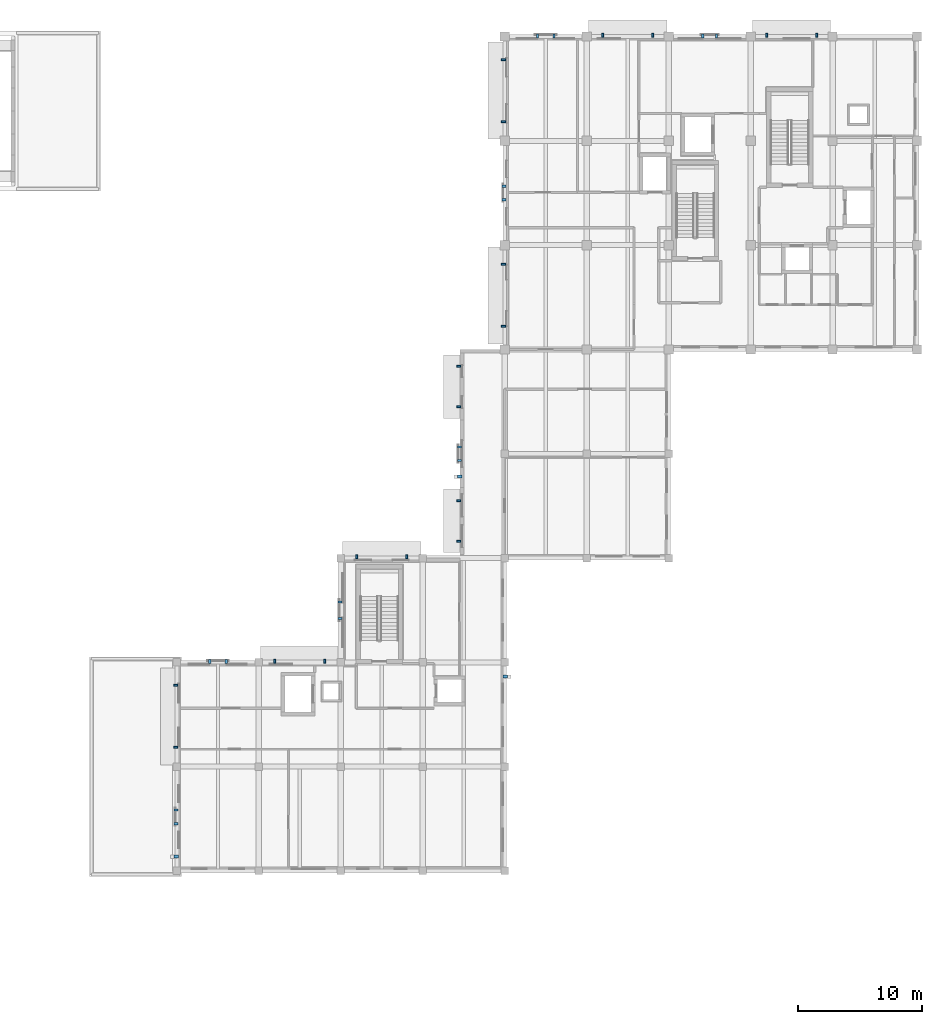
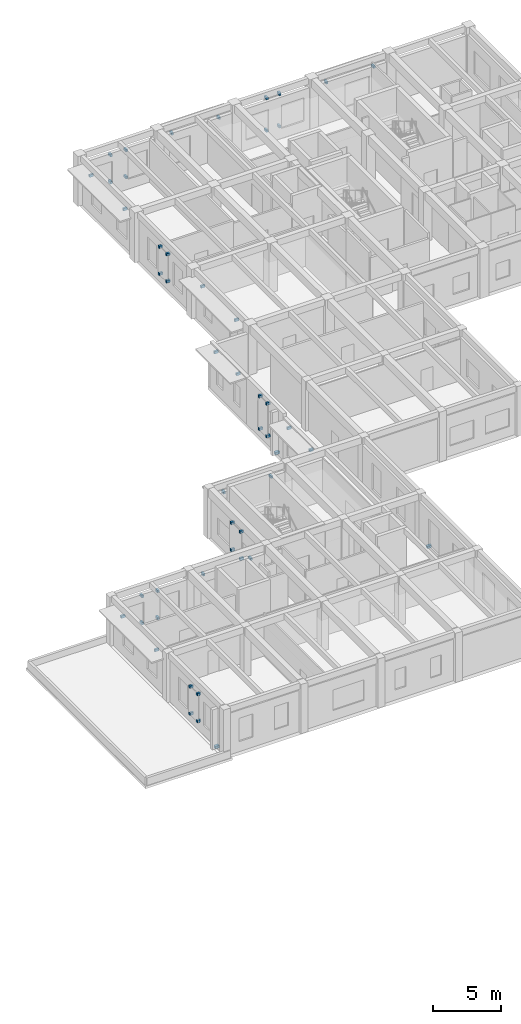
# One storey, part 17 of 25: 49 discrete accessories.
"""IFC4 building model written with IfcOpenShell, lengths in metres."""

from ifc_helpers import new_model, si_unit, direction, frame, origin, origin_2d, place, context, subcontext, project, spatial, rectangle, extrude, material, type_object, element, save


model = new_model("IFC4")

# Units and contexts
model_context = context("Model", 3, precision=1e-05, world=origin(), true_north=direction((0.0, 1.0)))
body_context = subcontext(model_context, "Body", "Model", "MODEL_VIEW")
ifc_project = project(units=[si_unit("LENGTHUNIT", "METRE"), si_unit("AREAUNIT", "SQUARE_METRE"), si_unit("VOLUMEUNIT", "CUBIC_METRE"), si_unit("PLANEANGLEUNIT", "RADIAN"), si_unit("MASSUNIT", "GRAM", prefix="KILO")], contexts=[model_context])

# Site, building, storey
site_placement = place(None, origin())
site = spatial("IfcSite", under=ifc_project, at=site_placement, CompositionType="ELEMENT")
building_placement = place(site_placement, origin())
building = spatial("IfcBuilding", under=site, at=building_placement, Name="Kolvaren Faculty of Natural Sciences", CompositionType="ELEMENT")
storey_placement = place(building_placement, frame((0.0, 0.0, 19.5)))
storey = spatial("IfcBuildingStorey", under=building, at=storey_placement, Name="L04", CompositionType="ELEMENT", Elevation=19.5)

# Discrete accessories
ifc_material = material(Name="Structural steel EN 10025-2 S355J2", Category="steel")
discrete_accessory_type = type_object("IfcDiscreteAccessoryType", Name="FacadeSupportBracket_260", PredefinedType="BRACKET", material=ifc_material)
for number, where, z_axis, x_axis, name in (
    (1, (125.5400390625, 37.3349609375, 0.81982421875), (0.0, 0.0, 1.0), (0.0, 1.0, 0.0), "L04 jali screen wall bracket"),
    (2, (125.5400390625, 38.6650390625, 0.81982421875), (0.0, 0.0, 1.0), (0.0, 1.0, 0.0), "L04 jali screen wall bracket"),
    (3, (125.5400390625, 37.3349609375, 3.26025390625), (0.0, 0.0, 1.0), (0.0, 1.0, 0.0), "L04 jali screen wall bracket"),
    (4, (125.5400390625, 38.6650390625, 3.26025390625), (0.0, 0.0, 1.0), (0.0, 1.0, 0.0), "L04 jali screen wall bracket"),
):
    element("IfcDiscreteAccessory", number, at=place(storey_placement, frame(where, z_axis=z_axis, x_axis=x_axis)), inside=storey, type_object=discrete_accessory_type, Name=name, PredefinedType="BRACKET", context=body_context, shape_type="SweptSolid", body=[
        extrude(rectangle(XDim=0.179931640625, YDim=0.320068359375, at=origin_2d()), origin(), (0.0, 0.0, 1.0), 0.219970703125),
    ])
for number, where, z_axis, x_axis, name in (
    (5, (126.884033203125, 42.300048828125, 3.365234375), (0.0, 0.0, 1.0), (1.0, 0.0, 0.0), "L04 chhajja hood steel bracket"),
    (6, (130.916015625, 42.300048828125, 3.365234375), (0.0, 0.0, 1.0), (1.0, 0.0, 0.0), "L04 chhajja hood steel bracket"),
    (7, (135.10009765625, 43.568115234375, 3.51513671875), (0.0, 0.0, 1.0), (0.0, 1.0, 0.0), "L04 chhajja hood steel bracket"),
    (8, (135.10009765625, 46.83203125, 3.51513671875), (0.0, 0.0, 1.0), (0.0, 1.0, 0.0), "L04 chhajja hood steel bracket"),
):
    element("IfcDiscreteAccessory", number, at=place(storey_placement, frame(where, z_axis=z_axis, x_axis=x_axis)), inside=storey, type_object=discrete_accessory_type, Name=name, PredefinedType="BRACKET", context=body_context, shape_type="SweptSolid", body=[
        extrude(rectangle(XDim=0.159912109375, YDim=0.340087890625, at=origin_2d()), origin(), (0.0, 0.0, 1.0), 0.219970703125),
    ])
discrete_accessory_placement = place(storey_placement, frame((135.159912109375, 48.75, 0.10986328125), z_axis=(0.0, 0.0, 1.0), x_axis=(0.0, 1.0, 0.0)))
element("IfcDiscreteAccessory", 9, at=discrete_accessory_placement, inside=storey, type_object=discrete_accessory_type, Name="L04 facade relief pier anchor bracket 12", PredefinedType="BRACKET", context=body_context, shape_type="SweptSolid", body=[
    extrude(rectangle(XDim=0.239990234375, YDim=0.360107421875, at=origin_2d()), origin(), (0.0, 0.0, 1.0), 0.219970703125),
])
for number, where, z_axis, x_axis, name in (
    (10, (135.139892578125, 50.049072265625, 0.81982421875), (0.0, 0.0, 1.0), (0.0, 1.0, 0.0), "L04 jali screen wall bracket"),
    (11, (135.139892578125, 51.15087890625, 0.81982421875), (0.0, 0.0, 1.0), (0.0, 1.0, 0.0), "L04 jali screen wall bracket"),
    (12, (135.139892578125, 50.049072265625, 3.76025390625), (0.0, 0.0, 1.0), (0.0, 1.0, 0.0), "L04 jali screen wall bracket"),
    (13, (135.139892578125, 51.15087890625, 3.76025390625), (0.0, 0.0, 1.0), (0.0, 1.0, 0.0), "L04 jali screen wall bracket"),
):
    element("IfcDiscreteAccessory", number, at=place(storey_placement, frame(where, z_axis=z_axis, x_axis=x_axis)), inside=storey, type_object=discrete_accessory_type, Name=name, PredefinedType="BRACKET", context=body_context, shape_type="SweptSolid", body=[
        extrude(rectangle(XDim=0.179931640625, YDim=0.320068359375, at=origin_2d()), origin(), (0.0, 0.0, 1.0), 0.219970703125),
    ])
for number, where, z_axis, x_axis, name in (
    (14, (135.10009765625, 54.367919921875, 3.830078125), (0.0, 0.0, 1.0), (0.0, 1.0, 0.0), "L04 chhajja hood steel bracket"),
    (15, (135.10009765625, 57.632080078125, 3.830078125), (0.0, 0.0, 1.0), (0.0, 1.0, 0.0), "L04 chhajja hood steel bracket"),
    (16, (138.699951171875, 60.85400390625, 3.51513671875), (0.0, 0.0, 1.0), (0.0, 1.0, 0.0), "L04 chhajja hood steel bracket"),
    (17, (138.699951171875, 65.845947265625, 3.51513671875), (0.0, 0.0, 1.0), (0.0, 1.0, 0.0), "L04 chhajja hood steel bracket"),
):
    element("IfcDiscreteAccessory", number, at=place(storey_placement, frame(where, z_axis=z_axis, x_axis=x_axis)), inside=storey, type_object=discrete_accessory_type, Name=name, PredefinedType="BRACKET", context=body_context, shape_type="SweptSolid", body=[
        extrude(rectangle(XDim=0.159912109375, YDim=0.340087890625, at=origin_2d()), origin(), (0.0, 0.0, 1.0), 0.219970703125),
    ])
for number, where, z_axis, x_axis, name in (
    (18, (138.739990234375, 71.049072265625, 0.81982421875), (0.0, 0.0, 1.0), (0.0, 1.0, 0.0), "L04 jali screen wall bracket"),
    (19, (138.739990234375, 72.15087890625, 0.81982421875), (0.0, 0.0, 1.0), (0.0, 1.0, 0.0), "L04 jali screen wall bracket"),
    (20, (138.739990234375, 71.049072265625, 3.26025390625), (0.0, 0.0, 1.0), (0.0, 1.0, 0.0), "L04 jali screen wall bracket"),
    (21, (138.739990234375, 72.15087890625, 3.26025390625), (0.0, 0.0, 1.0), (0.0, 1.0, 0.0), "L04 jali screen wall bracket"),
):
    element("IfcDiscreteAccessory", number, at=place(storey_placement, frame(where, z_axis=z_axis, x_axis=x_axis)), inside=storey, type_object=discrete_accessory_type, Name=name, PredefinedType="BRACKET", context=body_context, shape_type="SweptSolid", body=[
        extrude(rectangle(XDim=0.179931640625, YDim=0.320068359375, at=origin_2d()), origin(), (0.0, 0.0, 1.0), 0.219970703125),
    ])
for number, where, z_axis, x_axis, name in (
    (22, (138.699951171875, 77.35400390625, 3.51513671875), (0.0, 0.0, 1.0), (0.0, 1.0, 0.0), "L04 chhajja hood steel bracket"),
    (23, (138.699951171875, 82.345947265625, 3.51513671875), (0.0, 0.0, 1.0), (0.0, 1.0, 0.0), "L04 chhajja hood steel bracket"),
):
    element("IfcDiscreteAccessory", number, at=place(storey_placement, frame(where, z_axis=z_axis, x_axis=x_axis)), inside=storey, type_object=discrete_accessory_type, Name=name, PredefinedType="BRACKET", context=body_context, shape_type="SweptSolid", body=[
        extrude(rectangle(XDim=0.159912109375, YDim=0.340087890625, at=origin_2d()), origin(), (0.0, 0.0, 1.0), 0.219970703125),
    ])
for number, where, z_axis, x_axis, name in (
    (24, (141.43505859375, 84.260009765625, 0.81982421875), (0.0, 0.0, 1.0), (1.0, 0.0, 0.0), "L04 jali screen wall bracket"),
    (25, (142.764892578125, 84.260009765625, 0.81982421875), (0.0, 0.0, 1.0), (1.0, 0.0, 0.0), "L04 jali screen wall bracket"),
    (26, (141.43505859375, 84.260009765625, 3.26025390625), (0.0, 0.0, 1.0), (1.0, 0.0, 0.0), "L04 jali screen wall bracket"),
    (27, (142.764892578125, 84.260009765625, 3.26025390625), (0.0, 0.0, 1.0), (1.0, 0.0, 0.0), "L04 jali screen wall bracket"),
):
    element("IfcDiscreteAccessory", number, at=place(storey_placement, frame(where, z_axis=z_axis, x_axis=x_axis)), inside=storey, type_object=discrete_accessory_type, Name=name, PredefinedType="BRACKET", context=body_context, shape_type="SweptSolid", body=[
        extrude(rectangle(XDim=0.179931640625, YDim=0.320068359375, at=origin_2d()), origin(), (0.0, 0.0, 1.0), 0.219970703125),
    ])
for number, where, z_axis, x_axis, name in (
    (28, (146.68408203125, 84.300048828125, 3.365234375), (0.0, 0.0, 1.0), (1.0, 0.0, 0.0), "L04 chhajja hood steel bracket"),
    (29, (150.716064453125, 84.300048828125, 3.365234375), (0.0, 0.0, 1.0), (1.0, 0.0, 0.0), "L04 chhajja hood steel bracket"),
):
    element("IfcDiscreteAccessory", number, at=place(storey_placement, frame(where, z_axis=z_axis, x_axis=x_axis)), inside=storey, type_object=discrete_accessory_type, Name=name, PredefinedType="BRACKET", context=body_context, shape_type="SweptSolid", body=[
        extrude(rectangle(XDim=0.159912109375, YDim=0.340087890625, at=origin_2d()), origin(), (0.0, 0.0, 1.0), 0.219970703125),
    ])
for number, where, z_axis, x_axis, name in (
    (30, (154.7490234375, 84.260009765625, 0.81982421875), (0.0, 0.0, 1.0), (1.0, 0.0, 0.0), "L04 jali screen wall bracket"),
    (31, (155.85107421875, 84.260009765625, 0.81982421875), (0.0, 0.0, 1.0), (1.0, 0.0, 0.0), "L04 jali screen wall bracket"),
    (32, (154.7490234375, 84.260009765625, 3.76025390625), (0.0, 0.0, 1.0), (1.0, 0.0, 0.0), "L04 jali screen wall bracket"),
    (33, (155.85107421875, 84.260009765625, 3.76025390625), (0.0, 0.0, 1.0), (1.0, 0.0, 0.0), "L04 jali screen wall bracket"),
):
    element("IfcDiscreteAccessory", number, at=place(storey_placement, frame(where, z_axis=z_axis, x_axis=x_axis)), inside=storey, type_object=discrete_accessory_type, Name=name, PredefinedType="BRACKET", context=body_context, shape_type="SweptSolid", body=[
        extrude(rectangle(XDim=0.179931640625, YDim=0.320068359375, at=origin_2d()), origin(), (0.0, 0.0, 1.0), 0.219970703125),
    ])
for number, where, z_axis, x_axis, name in (
    (34, (159.884033203125, 84.300048828125, 3.365234375), (0.0, 0.0, 1.0), (1.0, 0.0, 0.0), "L04 chhajja hood steel bracket"),
    (35, (163.916015625, 84.300048828125, 3.365234375), (0.0, 0.0, 1.0), (1.0, 0.0, 0.0), "L04 chhajja hood steel bracket"),
):
    element("IfcDiscreteAccessory", number, at=place(storey_placement, frame(where, z_axis=z_axis, x_axis=x_axis)), inside=storey, type_object=discrete_accessory_type, Name=name, PredefinedType="BRACKET", context=body_context, shape_type="SweptSolid", body=[
        extrude(rectangle(XDim=0.159912109375, YDim=0.340087890625, at=origin_2d()), origin(), (0.0, 0.0, 1.0), 0.219970703125),
    ])
for number, where, z_axis, x_axis, name in (
    (36, (138.840087890625, 32.64990234375, 0.10986328125), (0.0, 0.0, 1.0), (0.0, -1.0, 0.0), "L04 facade relief pier anchor bracket 13"),
    (37, (112.360107421875, 18.14990234375, 0.10986328125), (0.0, 0.0, 1.0), (0.0, 1.0, 0.0), "L04 facade relief pier anchor bracket 14"),
):
    element("IfcDiscreteAccessory", number, at=place(storey_placement, frame(where, z_axis=z_axis, x_axis=x_axis)), inside=storey, type_object=discrete_accessory_type, Name=name, PredefinedType="BRACKET", context=body_context, shape_type="SweptSolid", body=[
        extrude(rectangle(XDim=0.239990234375, YDim=0.360107421875, at=origin_2d()), origin(), (0.0, 0.0, 1.0), 0.219970703125),
    ])
for number, where, z_axis, x_axis, name in (
    (38, (112.340087890625, 20.799072265625, 0.81982421875), (0.0, 0.0, 1.0), (0.0, 1.0, 0.0), "L04 jali screen wall bracket"),
    (39, (112.340087890625, 21.90087890625, 0.81982421875), (0.0, 0.0, 1.0), (0.0, 1.0, 0.0), "L04 jali screen wall bracket"),
    (40, (112.340087890625, 20.799072265625, 3.26025390625), (0.0, 0.0, 1.0), (0.0, 1.0, 0.0), "L04 jali screen wall bracket"),
    (41, (112.340087890625, 21.90087890625, 3.26025390625), (0.0, 0.0, 1.0), (0.0, 1.0, 0.0), "L04 jali screen wall bracket"),
):
    element("IfcDiscreteAccessory", number, at=place(storey_placement, frame(where, z_axis=z_axis, x_axis=x_axis)), inside=storey, type_object=discrete_accessory_type, Name=name, PredefinedType="BRACKET", context=body_context, shape_type="SweptSolid", body=[
        extrude(rectangle(XDim=0.179931640625, YDim=0.320068359375, at=origin_2d()), origin(), (0.0, 0.0, 1.0), 0.219970703125),
    ])
for number, where, z_axis, x_axis, name in (
    (42, (112.300048828125, 26.9541015625, 3.51513671875), (0.0, 0.0, 1.0), (0.0, 1.0, 0.0), "L04 chhajja hood steel bracket"),
    (43, (112.300048828125, 31.946044921875, 3.51513671875), (0.0, 0.0, 1.0), (0.0, 1.0, 0.0), "L04 chhajja hood steel bracket"),
):
    element("IfcDiscreteAccessory", number, at=place(storey_placement, frame(where, z_axis=z_axis, x_axis=x_axis)), inside=storey, type_object=discrete_accessory_type, Name=name, PredefinedType="BRACKET", context=body_context, shape_type="SweptSolid", body=[
        extrude(rectangle(XDim=0.159912109375, YDim=0.340087890625, at=origin_2d()), origin(), (0.0, 0.0, 1.0), 0.219970703125),
    ])
for number, where, z_axis, x_axis, name in (
    (44, (115.034912109375, 33.860107421875, 0.81982421875), (0.0, 0.0, 1.0), (1.0, 0.0, 0.0), "L04 jali screen wall bracket"),
    (45, (116.364990234375, 33.860107421875, 0.81982421875), (0.0, 0.0, 1.0), (1.0, 0.0, 0.0), "L04 jali screen wall bracket"),
    (46, (115.034912109375, 33.860107421875, 3.26025390625), (0.0, 0.0, 1.0), (1.0, 0.0, 0.0), "L04 jali screen wall bracket"),
    (47, (116.364990234375, 33.860107421875, 3.26025390625), (0.0, 0.0, 1.0), (1.0, 0.0, 0.0), "L04 jali screen wall bracket"),
):
    element("IfcDiscreteAccessory", number, at=place(storey_placement, frame(where, z_axis=z_axis, x_axis=x_axis)), inside=storey, type_object=discrete_accessory_type, Name=name, PredefinedType="BRACKET", context=body_context, shape_type="SweptSolid", body=[
        extrude(rectangle(XDim=0.179931640625, YDim=0.320068359375, at=origin_2d()), origin(), (0.0, 0.0, 1.0), 0.219970703125),
    ])
for number, where, z_axis, x_axis, name in (
    (48, (120.283935546875, 33.89990234375, 3.365234375), (0.0, 0.0, 1.0), (1.0, 0.0, 0.0), "L04 chhajja hood steel bracket"),
    (49, (124.31591796875, 33.89990234375, 3.365234375), (0.0, 0.0, 1.0), (1.0, 0.0, 0.0), "L04 chhajja hood steel bracket"),
):
    element("IfcDiscreteAccessory", number, at=place(storey_placement, frame(where, z_axis=z_axis, x_axis=x_axis)), inside=storey, type_object=discrete_accessory_type, Name=name, PredefinedType="BRACKET", context=body_context, shape_type="SweptSolid", body=[
        extrude(rectangle(XDim=0.159912109375, YDim=0.340087890625, at=origin_2d()), origin(), (0.0, 0.0, 1.0), 0.219970703125),
    ])

save(model, "model.ifc")
